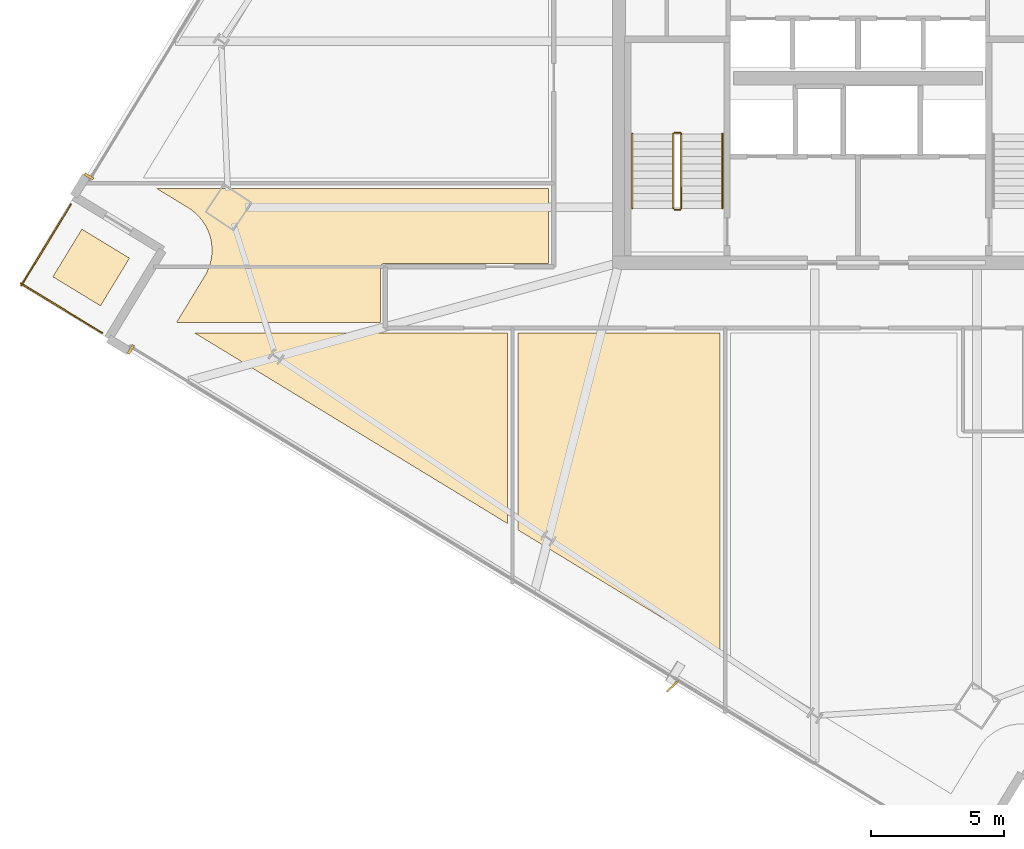
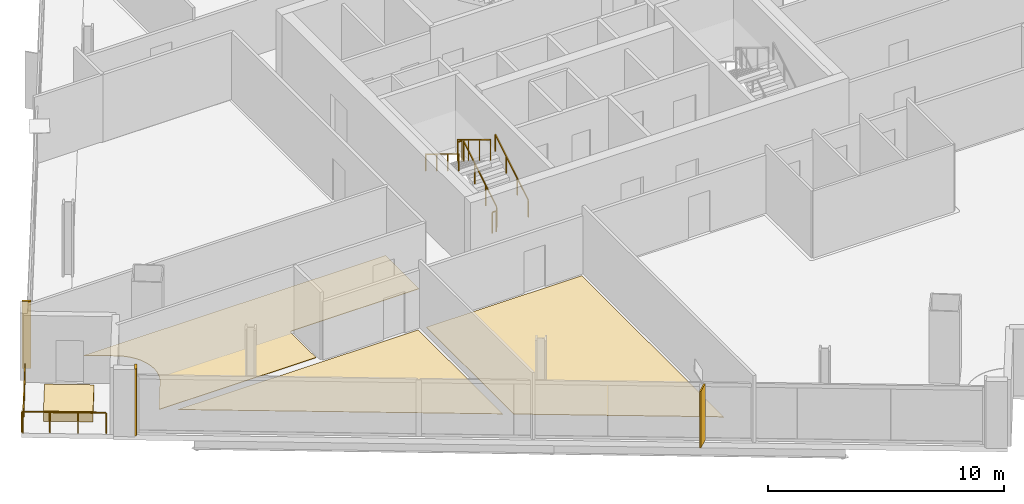
# One storey, part 25 of 28: 8 railings, 6 coverings, 1 shading device.
"""IFC4 building model written with IfcOpenShell, lengths in metres."""

from ifc_helpers import new_model, si_unit, direction, frame, origin, origin_2d, place, context, subcontext, project, spatial, polyline, rectangle, outline, extrude, source, transform, mapped, material, layer, layer_set, type_object, element, save


model = new_model("IFC4")

# Units and contexts
model_context = context("Model", 3, precision=1e-05, world=origin(), true_north=direction((0.0, 1.0)))
body_context = subcontext(model_context, "Body", "Model", "MODEL_VIEW")
ifc_project = project(units=[si_unit("LENGTHUNIT", "METRE"), si_unit("AREAUNIT", "SQUARE_METRE"), si_unit("VOLUMEUNIT", "CUBIC_METRE"), si_unit("PLANEANGLEUNIT", "RADIAN"), si_unit("MASSUNIT", "GRAM", prefix="KILO")], contexts=[model_context])

# Site, building, storey
site_placement = place(None, origin())
site = spatial("IfcSite", under=ifc_project, at=site_placement, CompositionType="ELEMENT")
building_placement = place(site_placement, origin())
building = spatial("IfcBuilding", under=site, at=building_placement, Name="Haldenkirk Collegiate Tower", CompositionType="ELEMENT")
storey_placement = place(building_placement, frame((0.0, 0.0, 224.699951171875)))
storey = spatial("IfcBuildingStorey", under=building, at=storey_placement, Name="L56", CompositionType="ELEMENT", Elevation=224.699951171875)

# Coverings
ifc_material_1 = material(Name="Polished collegiate terrazzo", Category="concrete")
ifc_layer_1 = layer(ifc_material_1, 0.02490234375)
ifc_layer_set_1 = layer_set([ifc_layer_1], Name="Polished collegiate terrazzo")
covering_type_1 = type_object("IfcCoveringType", Name="COV-FLOOR-TERRAZZO", PredefinedType="FLOORING", material=ifc_layer_set_1)
covering_1_placement = place(storey_placement, origin())
element("IfcCovering", 1, at=covering_1_placement, inside=storey, type_object=covering_type_1, Name="L56 academic room finish 02", PredefinedType="FLOORING", context=body_context, shape_type="SweptSolid", body=[
    extrude(outline(polyline([(23.199951171875, 7.943115234375), (23.199951171875, 15.35009765625), (30.800048828125, 15.35009765625), (30.800048828125, 3.313232421875), (23.199951171875, 7.943115234375)])), origin(), (0.0, 0.0, 1.0), 0.025146484375),
])
covering_2_placement = place(storey_placement, origin())
element("IfcCovering", 2, at=covering_2_placement, inside=storey, type_object=covering_type_1, Name="L56 academic room finish 08", PredefinedType="FLOORING", context=body_context, shape_type="SweptSolid", body=[
    extrude(outline(polyline([(11.4091796875, 17.503173828125), (11.412109375, 17.50830078125), (11.494384765625, 17.6591796875), (11.49951171875, 17.669921875), (11.566162109375, 17.827880859375), (11.5703125, 17.839111328125), (11.621337890625, 18.0029296875), (11.624267578125, 18.014404296875), (11.658935546875, 18.1826171875), (11.660888671875, 18.1943359375), (11.6787109375, 18.364990234375), (11.679443359375, 18.376708984375), (11.680908203125, 18.548583984375), (11.680419921875, 18.560302734375), (11.664794921875, 18.731201171875), (11.6630859375, 18.742919921875), (11.630859375, 18.91162109375), (11.6279296875, 18.923095703125), (11.579345703125, 19.087890625), (11.575439453125, 19.098876953125), (11.5107421875, 19.258056640625), (11.505859375, 19.268798828125), (11.426025390625, 19.4208984375), (11.419921875, 19.430908203125), (11.32568359375, 19.574462890625), (11.318603515625, 19.583740234375), (11.210693359375, 19.71728515625), (11.202880859375, 19.726318359375), (11.082275390625, 19.8486328125), (11.073486328125, 19.8564453125), (10.941650390625, 19.96630859375), (10.932373046875, 19.973388671875), (10.790283203125, 20.06982421875), (10.78515625, 20.072998046875), (9.591796875, 20.800048828125), (24.35009765625, 20.800048828125), (24.35009765625, 17.969970703125), (18.14990234375, 17.969970703125), (18.13818359375, 17.969482421875), (18.126708984375, 17.9677734375), (18.115234375, 17.96484375), (18.10400390625, 17.9609375), (18.093505859375, 17.955810546875), (18.083251953125, 17.94970703125), (18.073974609375, 17.94287109375), (18.065185546875, 17.934814453125), (18.05712890625, 17.926025390625), (18.05029296875, 17.916748046875), (18.044189453125, 17.906494140625), (18.0390625, 17.89599609375), (18.03515625, 17.884765625), (18.0322265625, 17.873291015625), (18.030517578125, 17.86181640625), (18.030029296875, 17.85009765625), (18.030029296875, 15.75), (10.385498046875, 15.75), (10.353271484375, 15.76953125), (11.4091796875, 17.503173828125)])), origin(), (0.0, 0.0, 1.0), 0.025146484375),
])
ifc_material_2 = material(Name="Engineered collegiate oak acoustic flooring", Category="wood")
ifc_layer_2 = layer(ifc_material_2, 0.02197265625)
ifc_layer_set_2 = layer_set([ifc_layer_2], Name="Engineered collegiate oak acoustic flooring")
covering_type_2 = type_object("IfcCoveringType", Name="COV-FLOOR-TIMBER", PredefinedType="FLOORING", material=ifc_layer_set_2)
covering_3_placement = place(storey_placement, origin())
element("IfcCovering", 3, at=covering_3_placement, inside=storey, type_object=covering_type_2, Name="L56 academic room finish 01", PredefinedType="FLOORING", context=body_context, shape_type="SweptSolid", body=[
    extrude(outline(polyline([(11.0419921875, 15.35009765625), (22.800048828125, 15.35009765625), (22.800048828125, 8.18701171875), (11.0419921875, 15.35009765625)])), origin(), (0.0, 0.0, 1.0), 0.02197265625),
])
ifc_material_3 = material(Name="Precast concrete f'c 40 MPa", Category="concrete")
ifc_layer_3 = layer(ifc_material_3, 0.449951171875)
ifc_layer_set_3 = layer_set([ifc_layer_3], Name="Precast concrete f'c 40 MPa")
covering_type_3 = type_object("IfcCoveringType", Name="COV-PLANTER-450", PredefinedType="USERDEFINED", material=ifc_layer_set_3)
covering_4_placement = place(storey_placement, origin())
element("IfcCovering", 4, at=covering_4_placement, inside=storey, type_object=covering_type_3, Name="L56 planted garden planter bed", ObjectType="PLANTER", PredefinedType="USERDEFINED", context=body_context, shape_type="SweptSolid", body=[
    extrude(outline(polyline([(7.48291015625, 16.38232421875), (5.689453125, 17.474853515625), (6.781982421875, 19.268310546875), (8.575439453125, 18.17578125), (7.48291015625, 16.38232421875)])), origin(), (0.0, 0.0, 1.0), 0.449951171875),
])

# Railings
ifc_material_4 = material(Name="Painted architectural tubular steel", Category="steel")
railing_type_1 = type_object("IfcRailingType", Name="RLG-STAIR-GUARD-1100", PredefinedType="BALUSTRADE", material=ifc_material_4)
railing_1_placement = place(storey_placement, frame((29.35009765625, 20.050048828125, 0.17041015625)))
element("IfcRailing", 5, at=railing_1_placement, inside=storey, type_object=railing_type_1, Name="L56 ST-1 stair guard 1", PredefinedType="BALUSTRADE", context=body_context, shape_type="SweptSolid", body=[
    extrude(rectangle(XDim=0.048095703125, YDim=0.048095703125, at=origin_2d()), frame((0.0, 0.0, 1.076171875), z_axis=(0.0, 0.854169791009, 0.51999420009), x_axis=(-1.0, 0.0, 0.0)), (0.0, 0.0, 1.0), 3.278076171875),
    extrude(rectangle(XDim=0.0419921875, YDim=0.0419921875, at=origin_2d()), origin(), (0.0, 0.0, 1.0), 1.052001953125),
    extrude(rectangle(XDim=0.0419921875, YDim=0.0419921875, at=origin_2d()), frame((0.0, 0.933349609375, 0.568115234375)), (0.0, 0.0, 1.0), 1.052001953125),
    extrude(rectangle(XDim=0.0419921875, YDim=0.0419921875, at=origin_2d()), frame((0.0, 1.86669921875, 1.136474609375)), (0.0, 0.0, 1.0), 1.052001953125),
    extrude(rectangle(XDim=0.0419921875, YDim=0.0419921875, at=origin_2d()), frame((0.0, 2.800048828125, 1.70458984375)), (0.0, 0.0, 1.0), 1.052001953125),
])
railing_2_placement = place(storey_placement, frame((29.300048828125, 22.89990234375, 1.875)))
element("IfcRailing", 6, at=railing_2_placement, inside=storey, type_object=railing_type_1, Name="L56 ST-1 stair guard 2", PredefinedType="BALUSTRADE", context=body_context, shape_type="SweptSolid", body=[
    extrude(rectangle(XDim=0.048095703125, YDim=0.048095703125, at=origin_2d()), frame((0.0, 0.0, 1.076171875), z_axis=(-1.0, 0.0, 0.0), x_axis=(0.0, -1.0, 0.0)), (0.0, 0.0, 1.0), 0.199951171875),
    extrude(rectangle(XDim=0.0419921875, YDim=0.0419921875, at=origin_2d()), origin(), (0.0, 0.0, 1.0), 1.052001953125),
    extrude(rectangle(XDim=0.0419921875, YDim=0.0419921875, at=origin_2d()), frame((-0.199951171875, 0.0, 0.0)), (0.0, 0.0, 1.0), 1.052001953125),
])
railing_3_placement = place(storey_placement, frame((29.050048828125, 22.85009765625, 2.04541015625)))
element("IfcRailing", 7, at=railing_3_placement, inside=storey, type_object=railing_type_1, Name="L56 ST-1 stair guard 3", PredefinedType="BALUSTRADE", context=body_context, shape_type="SweptSolid", body=[
    extrude(rectangle(XDim=0.048095703125, YDim=0.048095703125, at=origin_2d()), frame((0.0, 0.0, 1.076171875), z_axis=(0.0, -0.854169791009, 0.51999420009), x_axis=(1.0, 0.0, 0.0)), (0.0, 0.0, 1.0), 3.278076171875),
    extrude(rectangle(XDim=0.0419921875, YDim=0.0419921875, at=origin_2d()), origin(), (0.0, 0.0, 1.0), 1.052001953125),
    extrude(rectangle(XDim=0.0419921875, YDim=0.0419921875, at=origin_2d()), frame((0.0, -0.933349609375, 0.568115234375)), (0.0, 0.0, 1.0), 1.052001953125),
    extrude(rectangle(XDim=0.0419921875, YDim=0.0419921875, at=origin_2d()), frame((0.0, -1.86669921875, 1.136474609375)), (0.0, 0.0, 1.0), 1.052001953125),
    extrude(rectangle(XDim=0.0419921875, YDim=0.0419921875, at=origin_2d()), frame((0.0, -2.800048828125, 1.70458984375)), (0.0, 0.0, 1.0), 1.052001953125),
])
railing_4_placement = place(storey_placement, frame((29.300048828125, 20.0, 0.0)))
element("IfcRailing", 8, at=railing_4_placement, inside=storey, type_object=railing_type_1, Name="L56 ST-1 stair guard 4", PredefinedType="BALUSTRADE", context=body_context, shape_type="SweptSolid", body=[
    extrude(rectangle(XDim=0.048095703125, YDim=0.048095703125, at=origin_2d()), frame((0.0, 0.0, 1.076171875), z_axis=(-1.0, 0.0, 0.0), x_axis=(0.0, -1.0, 0.0)), (0.0, 0.0, 1.0), 0.199951171875),
    extrude(rectangle(XDim=0.0419921875, YDim=0.0419921875, at=origin_2d()), origin(), (0.0, 0.0, 1.0), 1.052001953125),
    extrude(rectangle(XDim=0.0419921875, YDim=0.0419921875, at=origin_2d()), frame((-0.199951171875, 0.0, 0.0)), (0.0, 0.0, 1.0), 1.052001953125),
])
railing_type_2 = type_object("IfcRailingType", Name="RLG-STAIR-HANDRAIL-900", PredefinedType="HANDRAIL", material=ifc_material_4)
railing_5_placement = place(storey_placement, frame((30.89990234375, 20.050048828125, 0.17041015625)))
element("IfcRailing", 9, at=railing_5_placement, inside=storey, type_object=railing_type_2, Name="L56 ST-1 stair handrail 1", PredefinedType="HANDRAIL", context=body_context, shape_type="SweptSolid", body=[
    extrude(rectangle(XDim=0.048095703125, YDim=0.048095703125, at=origin_2d()), frame((0.0, 0.0, 0.8759765625), z_axis=(0.0, 0.854169791009, 0.51999420009), x_axis=(-1.0, 0.0, 0.0)), (0.0, 0.0, 1.0), 3.278076171875),
    extrude(rectangle(XDim=0.0419921875, YDim=0.0419921875, at=origin_2d()), origin(), (0.0, 0.0, 1.0), 0.851806640625),
    extrude(rectangle(XDim=0.0419921875, YDim=0.0419921875, at=origin_2d()), frame((0.0, 0.933349609375, 0.568115234375)), (0.0, 0.0, 1.0), 0.851806640625),
    extrude(rectangle(XDim=0.0419921875, YDim=0.0419921875, at=origin_2d()), frame((0.0, 1.86669921875, 1.136474609375)), (0.0, 0.0, 1.0), 0.851806640625),
    extrude(rectangle(XDim=0.0419921875, YDim=0.0419921875, at=origin_2d()), frame((0.0, 2.800048828125, 1.70458984375)), (0.0, 0.0, 1.0), 0.851806640625),
])
railing_6_placement = place(storey_placement, frame((27.5, 22.85009765625, 2.04541015625)))
element("IfcRailing", 10, at=railing_6_placement, inside=storey, type_object=railing_type_2, Name="L56 ST-1 stair handrail 2", PredefinedType="HANDRAIL", context=body_context, shape_type="SweptSolid", body=[
    extrude(rectangle(XDim=0.048095703125, YDim=0.048095703125, at=origin_2d()), frame((0.0, 0.0, 0.8759765625), z_axis=(0.0, -0.854169791009, 0.51999420009), x_axis=(1.0, 0.0, 0.0)), (0.0, 0.0, 1.0), 3.278076171875),
    extrude(rectangle(XDim=0.0419921875, YDim=0.0419921875, at=origin_2d()), origin(), (0.0, 0.0, 1.0), 0.851806640625),
    extrude(rectangle(XDim=0.0419921875, YDim=0.0419921875, at=origin_2d()), frame((0.0, -0.933349609375, 0.568115234375)), (0.0, 0.0, 1.0), 0.851806640625),
    extrude(rectangle(XDim=0.0419921875, YDim=0.0419921875, at=origin_2d()), frame((0.0, -1.86669921875, 1.136474609375)), (0.0, 0.0, 1.0), 0.851806640625),
    extrude(rectangle(XDim=0.0419921875, YDim=0.0419921875, at=origin_2d()), frame((0.0, -2.800048828125, 1.70458984375)), (0.0, 0.0, 1.0), 0.851806640625),
])
ifc_material_5 = material(Name="Anodised architectural bronze aluminium", Category="aluminium")
railing_type_3 = type_object("IfcRailingType", Name="RLG-TERR-BALUSTRADE-1100", PredefinedType="BALUSTRADE", material=ifc_material_5)
railing_7_placement = place(storey_placement, frame((6.366455078125, 20.20068359375, 0.0)))
element("IfcRailing", 11, at=railing_7_placement, inside=storey, type_object=railing_type_3, Name="L56 terrace guard balustrade 3-1", PredefinedType="BALUSTRADE", context=body_context, shape_type="SweptSolid", body=[
    extrude(rectangle(XDim=0.048095703125, YDim=0.048095703125, at=origin_2d()), frame((0.0, 0.0, 1.076171875), z_axis=(-0.520260609409, -0.854007551663, 0.0), x_axis=(0.854007551663, -0.520260609409, 0.0)), (0.0, 0.0, 1.0), 3.580078125),
    extrude(rectangle(XDim=0.0419921875, YDim=0.0419921875, at=origin_2d()), origin(), (0.0, 0.0, 1.0), 1.052001953125),
    extrude(rectangle(XDim=0.0419921875, YDim=0.0419921875, at=origin_2d()), frame((-0.620849609375, -1.01904296875, 0.0)), (0.0, 0.0, 1.0), 1.052001953125),
    extrude(rectangle(XDim=0.0419921875, YDim=0.0419921875, at=origin_2d()), frame((-1.24169921875, -2.038330078125, 0.0)), (0.0, 0.0, 1.0), 1.052001953125),
    extrude(rectangle(XDim=0.0419921875, YDim=0.0419921875, at=origin_2d()), frame((-1.862548828125, -3.057373046875, 0.0)), (0.0, 0.0, 1.0), 1.052001953125),
])
railing_8_placement = place(storey_placement, frame((4.48388671875, 17.2255859375, 0.0)))
element("IfcRailing", 12, at=railing_8_placement, inside=storey, type_object=railing_type_3, Name="L56 terrace guard balustrade 4-1", PredefinedType="BALUSTRADE", context=body_context, shape_type="SweptSolid", body=[
    extrude(rectangle(XDim=0.048095703125, YDim=0.048095703125, at=origin_2d()), frame((0.0, 0.0, 1.076171875), z_axis=(0.854037850826, -0.520210870087, 0.0), x_axis=(0.520210870087, 0.854037850826, 0.0)), (0.0, 0.0, 1.0), 3.579833984375),
    extrude(rectangle(XDim=0.0419921875, YDim=0.0419921875, at=origin_2d()), origin(), (0.0, 0.0, 1.0), 1.052001953125),
    extrude(rectangle(XDim=0.0419921875, YDim=0.0419921875, at=origin_2d()), frame((1.01904296875, -0.620849609375, 0.0)), (0.0, 0.0, 1.0), 1.052001953125),
    extrude(rectangle(XDim=0.0419921875, YDim=0.0419921875, at=origin_2d()), frame((2.038330078125, -1.241455078125, 0.0)), (0.0, 0.0, 1.0), 1.052001953125),
    extrude(rectangle(XDim=0.0419921875, YDim=0.0419921875, at=origin_2d()), frame((3.057373046875, -1.8623046875, 0.0)), (0.0, 0.0, 1.0), 1.052001953125),
])

# Coverings
ifc_layer_4 = layer(ifc_material_5, 0.06005859375)
ifc_layer_set_4 = layer_set([ifc_layer_4], Name="Anodised architectural bronze aluminium")
covering_type_4 = type_object("IfcCoveringType", Name="COV-CLAD-BRONZE-60", PredefinedType="CLADDING", material=ifc_layer_set_4)
shared_shape_1 = source(origin(), body_context, "Body", "SweptSolid", [
    extrude(rectangle(XDim=0.10009765625, YDim=0.3798828125, at=origin_2d()), origin(), (0.0, 0.0, 1.0), 3.469970703125),
])
for number, where, z_axis, x_axis, name in (
    (13, (7.04248046875, 21.25244140625, 0.0), (0.0, 0.0, 1.0), (0.520264569962, 0.854005138885, 0.0), "L56 recessed curtain-wall bronze jamb closure NJL"),
    (14, (8.624267578125, 14.738525390625, 0.0), (0.0, 0.0, 1.0), (-0.854005138885, 0.520264569962, 0.0), "L56 recessed curtain-wall bronze jamb closure WJR"),
):
    element("IfcCovering", number, at=place(storey_placement, frame(where, z_axis=z_axis, x_axis=x_axis)), inside=storey, type_object=covering_type_4, Name=name, PredefinedType="CLADDING", context=body_context, shape_type="MappedRepresentation", body=[
        mapped(shared_shape_1, transform((0.0, 0.0, 0.0), x_axis=(1.0, 0.0, 0.0), y_axis=(0.0, 1.0, 0.0), z_axis=(0.0, 0.0, 1.0), scale=1.0)),
    ])

# Shading device
ifc_layer_5 = layer(ifc_material_5, 0.06494140625)
ifc_layer_set_5 = layer_set([ifc_layer_5], Name="Anodised architectural bronze aluminium")
shading_device_type = type_object("IfcShadingDeviceType", Name="SHD-FIN-BRONZE-620", PredefinedType="USERDEFINED", material=ifc_layer_set_5)
shared_shape_2 = source(origin(), body_context, "Body", "SweptSolid", [
    extrude(rectangle(XDim=0.6201171875, YDim=0.06494140625, at=origin_2d()), origin(), (0.0, 0.0, 1.0), 2.927978515625),
])
shading_device_placement = place(storey_placement, frame((29.03076171875, 2.066650390625, 0.0), z_axis=(0.0, 0.0, 1.0), x_axis=(-0.735506121195, -0.677518077755, 0.0)))
element("IfcShadingDevice", 15, at=shading_device_placement, inside=storey, type_object=shading_device_type, Name="L56 folded bronze solar fin 1", ObjectType="FIN", PredefinedType="USERDEFINED", context=body_context, shape_type="MappedRepresentation", body=[
    mapped(shared_shape_2, transform((0.0, 0.0, 0.0), x_axis=(1.0, 0.0, 0.0), y_axis=(0.0, 1.0, 0.0), z_axis=(0.0, 0.0, 1.0), scale=1.0)),
])

save(model, "model.ifc")
